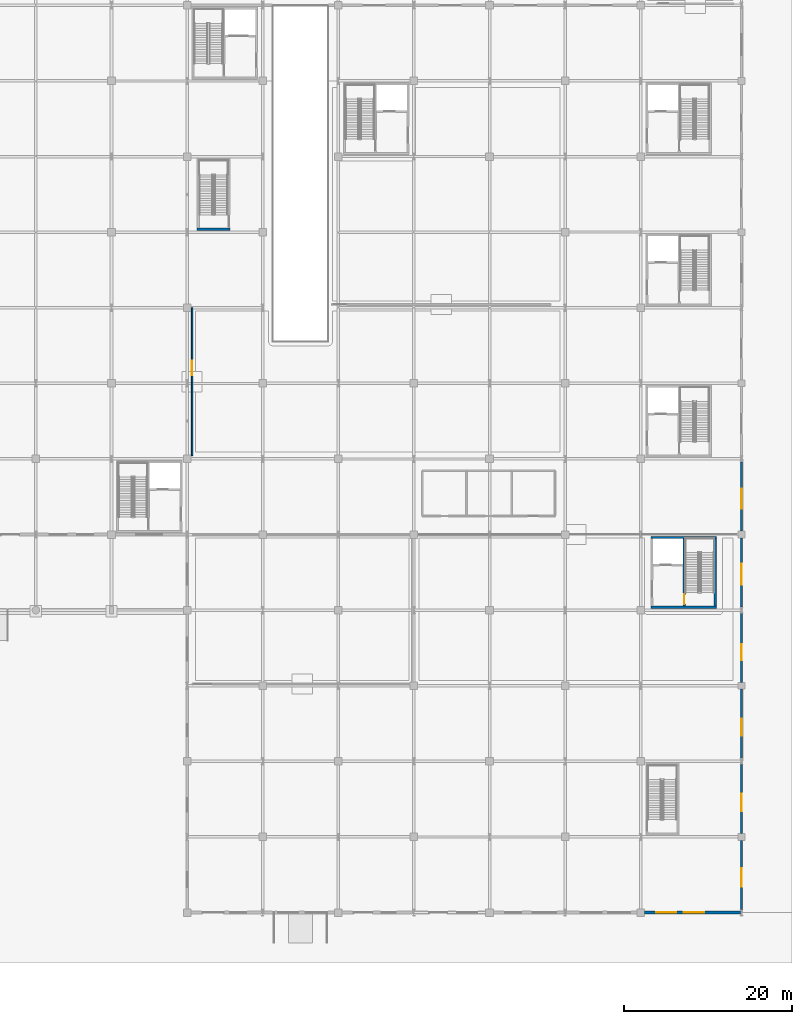
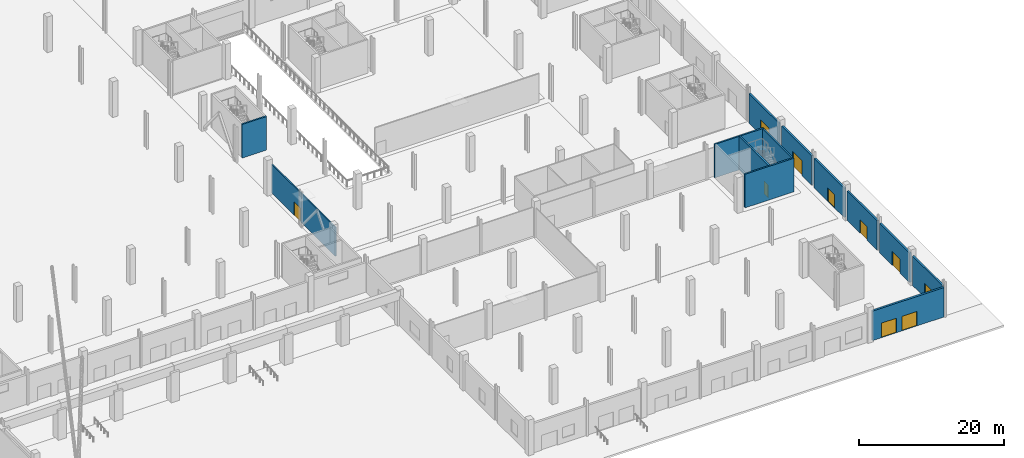
# One storey, part 35 of 58: 13 walls, 10 doors, 10 openings.
"""IFC4 building model written with IfcOpenShell, lengths in metres."""

from ifc_helpers import new_model, si_unit, direction, frame, frame_2d, origin, place, context, subcontext, project, spatial, rectangle, extrude, material, layer, layer_set, type_object, element, fill, save


model = new_model("IFC4")

# Units and contexts
model_context = context("Model", 3, precision=1e-05, world=origin(), true_north=direction((0.0, 1.0)))
body_context = subcontext(model_context, "Body", "Model", "MODEL_VIEW")
ifc_project = project(units=[si_unit("LENGTHUNIT", "METRE"), si_unit("AREAUNIT", "SQUARE_METRE"), si_unit("VOLUMEUNIT", "CUBIC_METRE"), si_unit("PLANEANGLEUNIT", "RADIAN"), si_unit("MASSUNIT", "GRAM", prefix="KILO")], contexts=[model_context])

# Site, building, storey
site_placement = place(None, origin())
site = spatial("IfcSite", under=ifc_project, at=site_placement, CompositionType="ELEMENT")
building_placement = place(site_placement, origin())
building = spatial("IfcBuilding", under=site, at=building_placement, Name="Barlavento Convention Centre", CompositionType="ELEMENT")
storey_placement = place(building_placement, origin())
storey = spatial("IfcBuildingStorey", under=building, at=storey_placement, Name="L00", CompositionType="ELEMENT", Elevation=0.0)

# Wall, opening, door
ifc_material_1 = material(Name="Acoustic double stud and gypsum board")
ifc_layer_1 = layer(ifc_material_1, 0.18505859375)
ifc_layer_set_1 = layer_set([ifc_layer_1], Name="ARC-WL-ACOU-185")
wall_type_1 = type_object("IfcWallType", Name="ARC-WL-ACOU-185", PredefinedType="PARTITIONING", material=ifc_layer_set_1)
wall_1_placement = place(storey_placement, frame((126.60009765625, 54.39990234375, 0.0), z_axis=(0.0, 0.0, 1.0), x_axis=(0.0, 1.0, 0.0)))
wall_1 = element("IfcWall", 1, at=wall_1_placement, inside=storey, type_object=wall_type_1, Name="L00 interior wall PT-01", PredefinedType="PARTITIONING", context=body_context, shape_type="SweptSolid", body=[
    extrude(rectangle(XDim=17.60009765625, YDim=0.18505859375, at=frame_2d((8.800048828125, 0.0))), origin(), (0.0, 0.0, 1.0), 4.85009765625),
])
opening_1_placement = place(wall_1_placement, frame((9.550048828125, 0.0, 0.0)))
opening_1 = element("IfcOpeningElement", 2, at=opening_1_placement, cuts=wall_1, Name="Opening ID-03", PredefinedType="OPENING", context=body_context, shape_type="SweptSolid", body=[
    extrude(rectangle(XDim=1.75, YDim=2.300048828125, at=frame_2d((0.875, 1.14990234375))), frame((0.0, 0.1025390625, 0.0), z_axis=(0.0, -1.0, 0.0), x_axis=(1.0, 0.0, 0.0)), (0.0, 0.0, 1.0), 0.205078125),
])
ifc_material_2 = material(Name="Timber veneer acoustic core", Category="wood")
door_type_1 = type_object("IfcDoorType", Name="ARC-DR-CONF-1750X2300", OperationType="DOUBLE_DOOR_SINGLE_SWING", PredefinedType="DOOR", material=ifc_material_2)
door_1_placement = place(opening_1_placement, origin())
door_1 = element("IfcDoor", 3, at=door_1_placement, inside=storey, type_object=door_type_1, Name="DR-INT-L00-0218 L00 interior door ID-03", OperationType="DOUBLE_DOOR_SINGLE_SWING", OverallHeight=2.300048828125, OverallWidth=1.75, PredefinedType="DOOR", context=body_context, shape_type="SweptSolid", body=[
    extrude(rectangle(XDim=1.75, YDim=2.300048828125, at=frame_2d((0.875, 1.14990234375))), frame((0.0, 0.02490234375, 0.0), z_axis=(0.0, -1.0, 0.0), x_axis=(1.0, 0.0, 0.0)), (0.0, 0.0, 1.0), 0.050048828125),
])
fill(opening_1, door_1)

ifc_material_3 = material(Name="Glazed white architectural terracotta on Concrete C40/50", Category="masonry")
ifc_layer_2 = layer(ifc_material_3, 0.2900390625)
ifc_layer_set_2 = layer_set([ifc_layer_2], Name="ARC-WL-EXT-290")
wall_type_2 = type_object("IfcWallType", Name="ARC-WL-EXT-290", PredefinedType="SOLIDWALL", material=ifc_layer_set_2)
wall_2_placement = place(storey_placement, frame((192.0, 0.35302734375, 0.0), z_axis=(0.0, 0.0, 1.0), x_axis=(0.0, 1.0, 0.0)))
wall_2 = element("IfcWall", 4, at=wall_2_placement, inside=storey, type_object=wall_type_2, Name="L00 exterior wall EW02", PredefinedType="SOLIDWALL", context=body_context, shape_type="SweptSolid", body=[
    extrude(rectangle(XDim=8.251953125, YDim=0.2900390625, at=frame_2d((4.1259765625, 0.0))), origin(), (0.0, 0.0, 1.0), 4.949951171875),
])
opening_2_placement = place(wall_2_placement, frame((2.697021484375, 0.0, 0.0)))
opening_2 = element("IfcOpeningElement", 5, at=opening_2_placement, cuts=wall_2, Name="Opening EX-38", PredefinedType="OPENING", context=body_context, shape_type="SweptSolid", body=[
    extrude(rectangle(XDim=2.199951171875, YDim=2.35009765625, at=frame_2d((1.10009765625, 1.175048828125))), frame((0.0, 0.155029296875, 0.0), z_axis=(0.0, -1.0, 0.0), x_axis=(1.0, 0.0, 0.0)), (0.0, 0.0, 1.0), 0.31005859375),
])
ifc_material_4 = material(Name="Anodized aluminium and tempered glass", Category="aluminium")
door_type_2 = type_object("IfcDoorType", Name="ARC-DR-EXIT-2200X2350", OperationType="DOUBLE_DOOR_SINGLE_SWING", PredefinedType="DOOR", material=ifc_material_4)
door_2_placement = place(opening_2_placement, origin())
door_2 = element("IfcDoor", 6, at=door_2_placement, inside=storey, type_object=door_type_2, Name="DR-EXT-L00-0038 East street pedestrian exit door EX-38", OperationType="DOUBLE_DOOR_SINGLE_SWING", OverallHeight=2.35009765625, OverallWidth=2.199951171875, PredefinedType="DOOR", context=body_context, shape_type="SweptSolid", body=[
    extrude(rectangle(XDim=2.199951171875, YDim=2.35009765625, at=frame_2d((1.10009765625, 1.175048828125))), frame((0.0, 0.02490234375, 0.0), z_axis=(0.0, -1.0, 0.0), x_axis=(1.0, 0.0, 0.0)), (0.0, 0.0, 1.0), 0.050048828125),
])
fill(opening_2, door_2)

wall_3_placement = place(storey_placement, frame((192.0, 9.39501953125, 0.0), z_axis=(0.0, 0.0, 1.0), x_axis=(0.0, 1.0, 0.0)))
wall_3 = element("IfcWall", 7, at=wall_3_placement, inside=storey, type_object=wall_type_2, Name="L00 exterior wall EW02", PredefinedType="SOLIDWALL", context=body_context, shape_type="SweptSolid", body=[
    extrude(rectangle(XDim=8.251953125, YDim=0.2900390625, at=frame_2d((4.1259765625, 0.0))), origin(), (0.0, 0.0, 1.0), 4.949951171875),
])
opening_3_placement = place(wall_3_placement, frame((2.655029296875, 0.0, 0.0)))
opening_3 = element("IfcOpeningElement", 8, at=opening_3_placement, cuts=wall_3, Name="Opening EX-39", PredefinedType="OPENING", context=body_context, shape_type="SweptSolid", body=[
    extrude(rectangle(XDim=2.10009765625, YDim=2.300048828125, at=frame_2d((1.050048828125, 1.14990234375))), frame((0.0, 0.155029296875, 0.0), z_axis=(0.0, -1.0, 0.0), x_axis=(1.0, 0.0, 0.0)), (0.0, 0.0, 1.0), 0.31005859375),
])
ifc_material_5 = material(Name="Painted galvanized steel", Category="steel")
door_type_3 = type_object("IfcDoorType", Name="ARC-DR-EXIT-2100X2300", OperationType="DOUBLE_DOOR_SINGLE_SWING", PredefinedType="DOOR", material=ifc_material_5)
door_3_placement = place(opening_3_placement, origin())
door_3 = element("IfcDoor", 9, at=door_3_placement, inside=storey, type_object=door_type_3, Name="DR-EXT-L00-0039 East street pedestrian exit door EX-39", OperationType="DOUBLE_DOOR_SINGLE_SWING", OverallHeight=2.300048828125, OverallWidth=2.10009765625, PredefinedType="DOOR", context=body_context, shape_type="SweptSolid", body=[
    extrude(rectangle(XDim=2.10009765625, YDim=2.300048828125, at=frame_2d((1.050048828125, 1.14990234375))), frame((0.0, 0.02490234375, 0.0), z_axis=(0.0, -1.0, 0.0), x_axis=(1.0, 0.0, 0.0)), (0.0, 0.0, 1.0), 0.050048828125),
])
fill(opening_3, door_3)

wall_4_placement = place(storey_placement, frame((192.0, 18.35302734375, 0.0), z_axis=(0.0, 0.0, 1.0), x_axis=(0.0, 1.0, 0.0)))
wall_4 = element("IfcWall", 10, at=wall_4_placement, inside=storey, type_object=wall_type_2, Name="L00 exterior wall EW02", PredefinedType="SOLIDWALL", context=body_context, shape_type="SweptSolid", body=[
    extrude(rectangle(XDim=8.251953125, YDim=0.2900390625, at=frame_2d((4.1259765625, 0.0))), origin(), (0.0, 0.0, 1.0), 4.949951171875),
])
opening_4_placement = place(wall_4_placement, frame((2.697021484375, 0.0, 0.0)))
opening_4 = element("IfcOpeningElement", 11, at=opening_4_placement, cuts=wall_4, Name="Opening EX-40", PredefinedType="OPENING", context=body_context, shape_type="SweptSolid", body=[
    extrude(rectangle(XDim=2.0, YDim=2.25, at=frame_2d((1.0, 1.125))), frame((0.0, 0.155029296875, 0.0), z_axis=(0.0, -1.0, 0.0), x_axis=(1.0, 0.0, 0.0)), (0.0, 0.0, 1.0), 0.31005859375),
])
door_type_4 = type_object("IfcDoorType", Name="ARC-DR-EXIT-2000X2250", OperationType="DOUBLE_DOOR_SINGLE_SWING", PredefinedType="DOOR", material=ifc_material_5)
door_4_placement = place(opening_4_placement, origin())
door_4 = element("IfcDoor", 12, at=door_4_placement, inside=storey, type_object=door_type_4, Name="DR-EXT-L00-0040 East street pedestrian exit door EX-40", OperationType="DOUBLE_DOOR_SINGLE_SWING", OverallHeight=2.25, OverallWidth=2.0, PredefinedType="DOOR", context=body_context, shape_type="SweptSolid", body=[
    extrude(rectangle(XDim=2.0, YDim=2.25, at=frame_2d((1.0, 1.125))), frame((0.0, 0.02490234375, 0.0), z_axis=(0.0, -1.0, 0.0), x_axis=(1.0, 0.0, 0.0)), (0.0, 0.0, 1.0), 0.050048828125),
])
fill(opening_4, door_4)

wall_5_placement = place(storey_placement, frame((192.0, 27.39501953125, 0.0), z_axis=(0.0, 0.0, 1.0), x_axis=(0.0, 1.0, 0.0)))
wall_5 = element("IfcWall", 13, at=wall_5_placement, inside=storey, type_object=wall_type_2, Name="L00 exterior wall EW02", PredefinedType="SOLIDWALL", context=body_context, shape_type="SweptSolid", body=[
    extrude(rectangle(XDim=8.251953125, YDim=0.2900390625, at=frame_2d((4.1259765625, 0.0))), origin(), (0.0, 0.0, 1.0), 4.949951171875),
])
opening_5_placement = place(wall_5_placement, frame((2.655029296875, 0.0, 0.0)))
opening_5 = element("IfcOpeningElement", 14, at=opening_5_placement, cuts=wall_5, Name="Opening EX-41", PredefinedType="OPENING", context=body_context, shape_type="SweptSolid", body=[
    extrude(rectangle(XDim=1.89990234375, YDim=2.199951171875, at=frame_2d((0.949951171875, 1.10009765625))), frame((0.0, 0.155029296875, 0.0), z_axis=(0.0, -1.0, 0.0), x_axis=(1.0, 0.0, 0.0)), (0.0, 0.0, 1.0), 0.31005859375),
])
door_type_5 = type_object("IfcDoorType", Name="ARC-DR-EXIT-1900X2200", OperationType="DOUBLE_DOOR_SINGLE_SWING", PredefinedType="DOOR", material=ifc_material_5)
door_5_placement = place(opening_5_placement, origin())
door_5 = element("IfcDoor", 15, at=door_5_placement, inside=storey, type_object=door_type_5, Name="DR-EXT-L00-0041 East street pedestrian exit door EX-41", OperationType="DOUBLE_DOOR_SINGLE_SWING", OverallHeight=2.199951171875, OverallWidth=1.89990234375, PredefinedType="DOOR", context=body_context, shape_type="SweptSolid", body=[
    extrude(rectangle(XDim=1.89990234375, YDim=2.199951171875, at=frame_2d((0.949951171875, 1.10009765625))), frame((0.0, 0.02490234375, 0.0), z_axis=(0.0, -1.0, 0.0), x_axis=(1.0, 0.0, 0.0)), (0.0, 0.0, 1.0), 0.050048828125),
])
fill(opening_5, door_5)

wall_6_placement = place(storey_placement, frame((192.0, 36.35302734375, 0.0), z_axis=(0.0, 0.0, 1.0), x_axis=(0.0, 1.0, 0.0)))
wall_6 = element("IfcWall", 16, at=wall_6_placement, inside=storey, type_object=wall_type_2, Name="L00 exterior wall EW02", PredefinedType="SOLIDWALL", context=body_context, shape_type="SweptSolid", body=[
    extrude(rectangle(XDim=8.251953125, YDim=0.2900390625, at=frame_2d((4.1259765625, 0.0))), origin(), (0.0, 0.0, 1.0), 4.949951171875),
])
opening_6_placement = place(wall_6_placement, frame((2.697021484375, 0.0, 0.0)))
opening_6 = element("IfcOpeningElement", 17, at=opening_6_placement, cuts=wall_6, Name="Opening EX-42", PredefinedType="OPENING", context=body_context, shape_type="SweptSolid", body=[
    extrude(rectangle(XDim=2.5, YDim=2.5, at=frame_2d((1.25, 1.25))), frame((0.0, 0.155029296875, 0.0), z_axis=(0.0, -1.0, 0.0), x_axis=(1.0, 0.0, 0.0)), (0.0, 0.0, 1.0), 0.31005859375),
])
door_type_6 = type_object("IfcDoorType", Name="ARC-DR-EXIT-2500X2500", OperationType="DOUBLE_DOOR_SINGLE_SWING", PredefinedType="DOOR", material=ifc_material_4)
door_6_placement = place(opening_6_placement, origin())
door_6 = element("IfcDoor", 18, at=door_6_placement, inside=storey, type_object=door_type_6, Name="DR-EXT-L00-0042 East street pedestrian exit door EX-42", OperationType="DOUBLE_DOOR_SINGLE_SWING", OverallHeight=2.5, OverallWidth=2.5, PredefinedType="DOOR", context=body_context, shape_type="SweptSolid", body=[
    extrude(rectangle(XDim=2.5, YDim=2.5, at=frame_2d((1.25, 1.25))), frame((0.0, 0.02490234375, 0.0), z_axis=(0.0, -1.0, 0.0), x_axis=(1.0, 0.0, 0.0)), (0.0, 0.0, 1.0), 0.050048828125),
])
fill(opening_6, door_6)

wall_7_placement = place(storey_placement, frame((192.0, 45.39501953125, 0.0), z_axis=(0.0, 0.0, 1.0), x_axis=(0.0, 1.0, 0.0)))
wall_7 = element("IfcWall", 19, at=wall_7_placement, inside=storey, type_object=wall_type_2, Name="L00 exterior wall EW02", PredefinedType="SOLIDWALL", context=body_context, shape_type="SweptSolid", body=[
    extrude(rectangle(XDim=8.251953125, YDim=0.2900390625, at=frame_2d((4.1259765625, 0.0))), origin(), (0.0, 0.0, 1.0), 4.949951171875),
])
opening_7_placement = place(wall_7_placement, frame((2.655029296875, 0.0, 0.0)))
opening_7 = element("IfcOpeningElement", 20, at=opening_7_placement, cuts=wall_7, Name="Opening EX-43", PredefinedType="OPENING", context=body_context, shape_type="SweptSolid", body=[
    extrude(rectangle(XDim=2.39990234375, YDim=2.449951171875, at=frame_2d((1.199951171875, 1.22509765625))), frame((0.0, 0.155029296875, 0.0), z_axis=(0.0, -1.0, 0.0), x_axis=(1.0, 0.0, 0.0)), (0.0, 0.0, 1.0), 0.31005859375),
])
door_type_7 = type_object("IfcDoorType", Name="ARC-DR-EXIT-2400X2450", OperationType="DOUBLE_DOOR_SINGLE_SWING", PredefinedType="DOOR", material=ifc_material_4)
door_7_placement = place(opening_7_placement, origin())
door_7 = element("IfcDoor", 21, at=door_7_placement, inside=storey, type_object=door_type_7, Name="DR-EXT-L00-0043 East street pedestrian exit door EX-43", OperationType="DOUBLE_DOOR_SINGLE_SWING", OverallHeight=2.449951171875, OverallWidth=2.39990234375, PredefinedType="DOOR", context=body_context, shape_type="SweptSolid", body=[
    extrude(rectangle(XDim=2.39990234375, YDim=2.449951171875, at=frame_2d((1.199951171875, 1.22509765625))), frame((0.0, 0.02490234375, 0.0), z_axis=(0.0, -1.0, 0.0), x_axis=(1.0, 0.0, 0.0)), (0.0, 0.0, 1.0), 0.050048828125),
])
fill(opening_7, door_7)

# Wall, openings, doors
ifc_material_6 = material(Name="Macau dark grey granite cladding on Concrete C40/50", Category="masonry")
ifc_layer_3 = layer(ifc_material_6, 0.320068359375)
ifc_layer_set_3 = layer_set([ifc_layer_3], Name="ARC-WL-EXT-320")
wall_type_3 = type_object("IfcWallType", Name="ARC-WL-EXT-320", PredefinedType="SOLIDWALL", material=ifc_layer_set_3)
wall_8_placement = place(storey_placement, frame((180.445068359375, 0.0, 0.0), z_axis=(0.0, 0.0, 1.0), x_axis=(1.0, 0.0, 0.0)))
wall_8 = element("IfcWall", 22, at=wall_8_placement, inside=storey, type_object=wall_type_3, Name="L00 exterior wall EW01", PredefinedType="SOLIDWALL", context=body_context, shape_type="SweptSolid", body=[
    extrude(rectangle(XDim=11.407958984375, YDim=0.320068359375, at=frame_2d((5.7041015625, 0.0))), origin(), (0.0, 0.0, 1.0), 4.949951171875),
])
opening_8_placement = place(wall_8_placement, frame((1.405029296875, 0.0, 0.0)))
opening_8 = element("IfcOpeningElement", 23, at=opening_8_placement, cuts=wall_8, Name="Opening EX-29", PredefinedType="OPENING", context=body_context, shape_type="SweptSolid", body=[
    extrude(rectangle(XDim=2.39990234375, YDim=2.449951171875, at=frame_2d((1.199951171875, 1.22509765625))), frame((0.0, 0.169921875, 0.0), z_axis=(0.0, -1.0, 0.0), x_axis=(1.0, 0.0, 0.0)), (0.0, 0.0, 1.0), 0.340087890625),
])
opening_9_placement = place(wall_8_placement, frame((4.705078125, 0.0, 0.0)))
opening_9 = element("IfcOpeningElement", 24, at=opening_9_placement, cuts=wall_8, Name="Opening EX-30", PredefinedType="OPENING", context=body_context, shape_type="SweptSolid", body=[
    extrude(rectangle(XDim=2.39990234375, YDim=2.449951171875, at=frame_2d((1.199951171875, 1.22509765625))), frame((0.0, 0.169921875, 0.0), z_axis=(0.0, -1.0, 0.0), x_axis=(1.0, 0.0, 0.0)), (0.0, 0.0, 1.0), 0.340087890625),
])
door_8_placement = place(opening_8_placement, origin())
door_8 = element("IfcDoor", 25, at=door_8_placement, inside=storey, type_object=door_type_7, Name="DR-EXT-L00-0029 Pedestrian exit door EX-29", OperationType="DOUBLE_DOOR_SINGLE_SWING", OverallHeight=2.449951171875, OverallWidth=2.39990234375, PredefinedType="DOOR", context=body_context, shape_type="SweptSolid", body=[
    extrude(rectangle(XDim=2.39990234375, YDim=2.449951171875, at=frame_2d((1.199951171875, 1.22509765625))), frame((0.0, 0.02490234375, 0.0), z_axis=(0.0, -1.0, 0.0), x_axis=(1.0, 0.0, 0.0)), (0.0, 0.0, 1.0), 0.050048828125),
])
fill(opening_8, door_8)
door_9_placement = place(opening_9_placement, origin())
door_9 = element("IfcDoor", 26, at=door_9_placement, inside=storey, type_object=door_type_7, Name="DR-EXT-L00-0030 Pedestrian exit door EX-30", OperationType="DOUBLE_DOOR_SINGLE_SWING", OverallHeight=2.449951171875, OverallWidth=2.39990234375, PredefinedType="DOOR", context=body_context, shape_type="SweptSolid", body=[
    extrude(rectangle(XDim=2.39990234375, YDim=2.449951171875, at=frame_2d((1.199951171875, 1.22509765625))), frame((0.0, 0.02490234375, 0.0), z_axis=(0.0, -1.0, 0.0), x_axis=(1.0, 0.0, 0.0)), (0.0, 0.0, 1.0), 0.050048828125),
])
fill(opening_9, door_9)

# Walls
ifc_material_7 = material(Name="Concrete C50/60", Category="concrete")
ifc_layer_4 = layer(ifc_material_7, 0.25)
ifc_layer_set_4 = layer_set([ifc_layer_4], Name="STR-WL-CORE-250")
wall_type_4 = type_object("IfcWallType", Name="STR-WL-CORE-250", PredefinedType="SHEAR", material=ifc_layer_set_4)
wall_9_placement = place(storey_placement, frame((188.875, 36.469970703125, 0.0), z_axis=(0.0, 0.0, 1.0), x_axis=(0.0, 1.0, 0.0)))
element("IfcWall", 27, at=wall_9_placement, inside=storey, type_object=wall_type_4, Name="L00 interior wall CW-02", PredefinedType="SHEAR", context=body_context, shape_type="SweptSolid", body=[
    extrude(rectangle(XDim=8.06005859375, YDim=0.25, at=frame_2d((4.030029296875, 0.0))), origin(), (0.0, 0.0, 1.0), 5.639892578125),
])
for number, where, z_axis, x_axis, name in (
    (28, (181.199951171875, 36.344970703125, 0.0), (0.0, 0.0, 1.0), (1.0, 0.0, 0.0), "L00 interior wall CW-02"),
    (29, (181.199951171875, 44.655029296875, 0.0), (0.0, 0.0, 1.0), (1.0, 0.0, 0.0), "L00 interior wall CW-02"),
):
    element("IfcWall", number, at=place(storey_placement, frame(where, z_axis=z_axis, x_axis=x_axis)), inside=storey, type_object=wall_type_4, Name=name, PredefinedType="SHEAR", context=body_context, shape_type="SweptSolid", body=[
        extrude(rectangle(XDim=7.800048828125, YDim=0.25, at=frame_2d((3.89990234375, 0.0))), origin(), (0.0, 0.0, 1.0), 5.639892578125),
    ])

# Wall, opening, door
wall_10_placement = place(storey_placement, frame((185.18505859375, 36.469970703125, 0.0), z_axis=(0.0, 0.0, 1.0), x_axis=(0.0, 1.0, 0.0)))
wall_10 = element("IfcWall", 30, at=wall_10_placement, inside=storey, type_object=wall_type_4, Name="L00 interior wall CW-02", PredefinedType="SHEAR", context=body_context, shape_type="SweptSolid", body=[
    extrude(rectangle(XDim=8.06005859375, YDim=0.25, at=frame_2d((4.030029296875, 0.0))), origin(), (0.0, 0.0, 1.0), 5.639892578125),
])
opening_10_placement = place(wall_10_placement, frame((0.25, 0.0, 0.0)))
opening_10 = element("IfcOpeningElement", 31, at=opening_10_placement, cuts=wall_10, Name="Opening FD-03", PredefinedType="OPENING", context=body_context, shape_type="SweptSolid", body=[
    extrude(rectangle(XDim=1.14990234375, YDim=2.14990234375, at=frame_2d((0.574951171875, 1.074951171875))), frame((0.0, 0.135009765625, 0.0), z_axis=(0.0, -1.0, 0.0), x_axis=(1.0, 0.0, 0.0)), (0.0, 0.0, 1.0), 0.27001953125),
])
door_type_8 = type_object("IfcDoorType", Name="ARC-DR-FIRE-1150X2150", OperationType="NOTDEFINED", PredefinedType="DOOR", material=ifc_material_5)
door_10_placement = place(opening_10_placement, origin())
door_10 = element("IfcDoor", 32, at=door_10_placement, inside=storey, type_object=door_type_8, Name="DR-INT-L00-0079 L00 ST06 stair fire door FD-03", OperationType="SINGLE_SWING_LEFT", OverallHeight=2.14990234375, OverallWidth=1.14990234375, PredefinedType="DOOR", context=body_context, shape_type="SweptSolid", body=[
    extrude(rectangle(XDim=1.14990234375, YDim=2.14990234375, at=frame_2d((0.574951171875, 1.074951171875))), frame((0.0, 0.02490234375, 0.0), z_axis=(0.0, -1.0, 0.0), x_axis=(1.0, 0.0, 0.0)), (0.0, 0.0, 1.0), 0.050048828125),
])
fill(opening_10, door_10)

# Wall
wall_11_placement = place(storey_placement, frame((127.199951171875, 81.344970703125, 0.0), z_axis=(0.0, 0.0, 1.0), x_axis=(1.0, 0.0, 0.0)))
element("IfcWall", 33, at=wall_11_placement, inside=storey, type_object=wall_type_4, Name="L00 interior wall CW-02", PredefinedType="SHEAR", context=body_context, shape_type="SweptSolid", body=[
    extrude(rectangle(XDim=3.900146484375, YDim=0.25, at=frame_2d((1.9501953125, 0.0))), origin(), (0.0, 0.0, 1.0), 5.639892578125),
])

save(model, "model.ifc")
